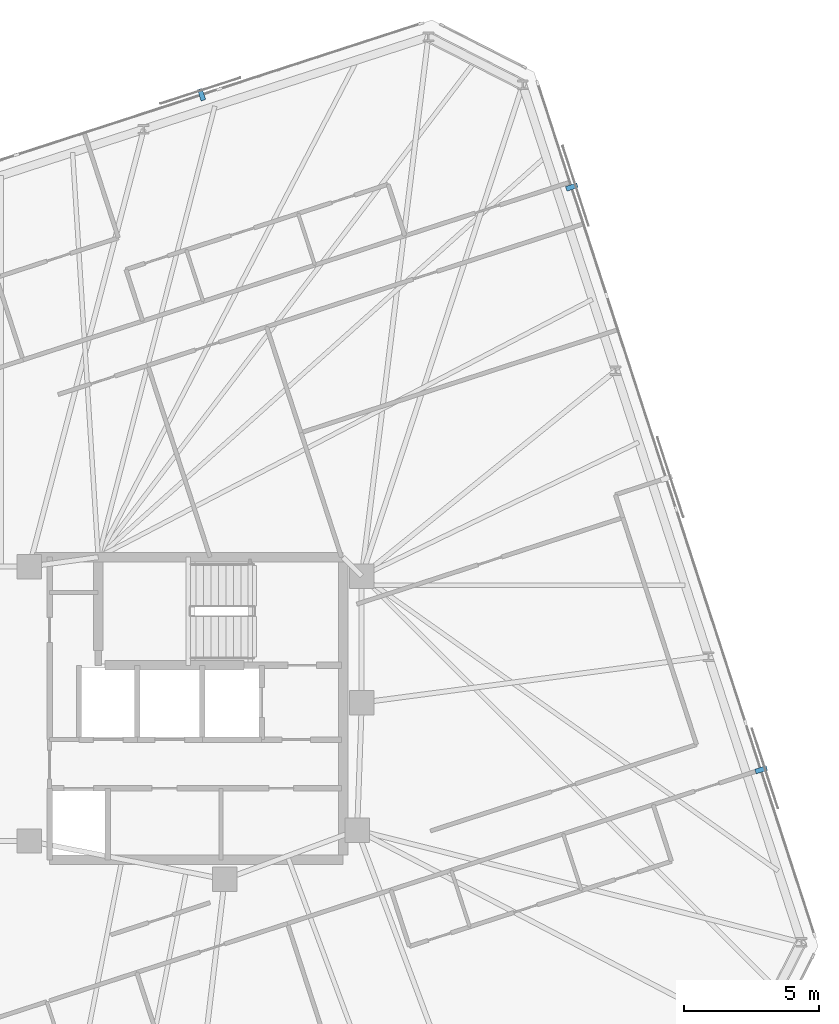
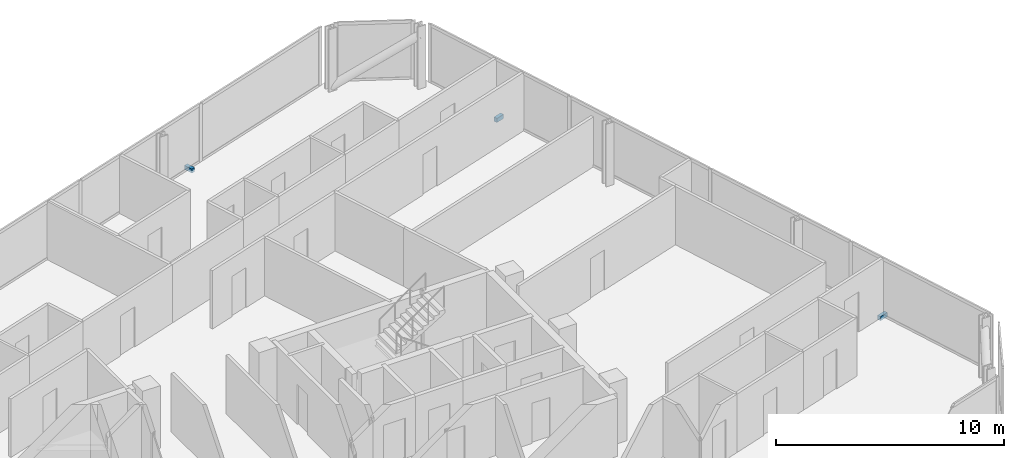
# One storey, part 19 of 20: 3 discrete accessories.
"""IFC4 building model written with IfcOpenShell, lengths in metres."""

import ifcopenshell
import ifcopenshell.guid

model = None  # the IFC model being written
_history = None  # IfcOwnerHistory: only IFC2X3 demands one
_inside = {}  # id of a spatial element -> (the spatial element, [elements in it])
_under = {}  # id of a project, library or spatial element -> (it, [spatial elements below it])
_declared = {}  # id of a project -> (the project, [libraries it declares])
_typed = {}  # id of a type object -> (the type object, [elements of that type])
_made_of = {}  # id of a material, layer set ... -> (it, [elements and type objects made of it])


def new_model(schema):
    """Start an empty IFC model of exactly this schema.

    Asked for "IFC4X3", IfcOpenShell would pick the latest addendum, in which some entities
    have other attributes; the version numbers below select the first issue.
    IFC2X3 requires an IfcOwnerHistory on every rooted entity: one is made here for all.
    """
    global model, _history
    if schema == "IFC4X3":
        model = ifcopenshell.file(schema_version=(4, 3, 0, 0))
    else:
        model = ifcopenshell.file(schema=schema)
    _inside.clear()
    _under.clear()
    _declared.clear()
    _typed.clear()
    _made_of.clear()
    _history = None
    if model.schema == "IFC2X3":
        org = make("IfcOrganization", Name="unknown")
        user = make(
            "IfcPersonAndOrganization",
            ThePerson=make("IfcPerson", FamilyName="unknown"),
            TheOrganization=org,
        )
        app = make(
            "IfcApplication",
            ApplicationDeveloper=org,
            Version="unknown",
            ApplicationFullName="unknown",
            ApplicationIdentifier="unknown",
        )
        _history = make(
            "IfcOwnerHistory",
            OwningUser=user,
            OwningApplication=app,
            ChangeAction="ADDED",
            CreationDate=0,
        )
    return model


def make(cls, **values):
    """One entity of the class cls with the attributes given. An attribute that is None is left unset."""
    return model.create_entity(
        cls, **{name: value for name, value in values.items() if value is not None}
    )


def rooted(cls, **values):
    """An entity with a GlobalId (a new one), such as an element, a storey or a relation."""
    return make(cls, GlobalId=ifcopenshell.guid.new(), OwnerHistory=_history, **values)


def si_unit(unit_type, name, prefix=None):
    """IfcSIUnit, for example si_unit("LENGTHUNIT", "METRE", prefix="MILLI")."""
    return make("IfcSIUnit", UnitType=unit_type, Prefix=prefix, Name=name)


def assignment(units):
    """IfcUnitAssignment: the units of a project."""
    return None if units is None else make("IfcUnitAssignment", Units=units)


def point(xyz):
    """IfcCartesianPoint."""
    return None if xyz is None else make("IfcCartesianPoint", Coordinates=xyz)


def direction(xyz):
    """IfcDirection."""
    return None if xyz is None else make("IfcDirection", DirectionRatios=xyz)


def frame(location, z_axis=None, x_axis=None):
    """IfcAxis2Placement3D, a coordinate frame: its origin and axes. An axis left out is left unset."""
    return make(
        "IfcAxis2Placement3D",
        Location=point(location),
        Axis=direction(z_axis),
        RefDirection=direction(x_axis),
    )


def frame_2d(location, x_axis=None):
    """IfcAxis2Placement2D, a coordinate frame in the plane: its origin and x axis."""
    return make(
        "IfcAxis2Placement2D", Location=point(location), RefDirection=direction(x_axis)
    )


def origin():
    """The frame at (0, 0, 0) with its axes left unset."""
    return frame((0.0, 0.0, 0.0))


def origin_2d():
    """The frame at (0, 0) in the plane with its x axis left unset."""
    return frame_2d((0.0, 0.0))


def place(relative_to, where):
    """IfcLocalPlacement: puts the frame where relative to a parent placement (None: the world)."""
    return make(
        "IfcLocalPlacement", PlacementRelTo=relative_to, RelativePlacement=where
    )


def context(
    kind, dimensions, precision=None, world=None, true_north=None, identifier=None
):
    """IfcGeometricRepresentationContext, for example the 3D "Model" context."""
    return make(
        "IfcGeometricRepresentationContext",
        ContextIdentifier=identifier,
        ContextType=kind,
        CoordinateSpaceDimension=dimensions,
        Precision=precision,
        WorldCoordinateSystem=world,
        TrueNorth=true_north,
    )


def subcontext(parent, identifier, kind, view, scale=None):
    """IfcGeometricRepresentationSubContext, for example "Body" below "Model"."""
    return make(
        "IfcGeometricRepresentationSubContext",
        ContextIdentifier=identifier,
        ContextType=kind,
        ParentContext=parent,
        TargetScale=scale,
        TargetView=view,
    )


def project(units=None, contexts=None):
    """IfcProject with its units and contexts."""
    return rooted(
        "IfcProject",
        Name="project",
        RepresentationContexts=contexts,
        UnitsInContext=assignment(units),
    )


def spatial(cls, under=None, at=None, **own):
    """A site, building, storey or space (cls), placed at a placement, below another one or the project."""
    s = rooted(cls, ObjectPlacement=at, **own)
    if under is not None:
        _under.setdefault(under.id(), (under, []))[1].append(s)
    return s


def profile(cls, at=None, kind="AREA", **sizes):
    """A parametric profile (cls). Its sizes go by their IFC names, for example OverallWidth=200.0."""
    return make(cls, ProfileType=kind, Position=at, **sizes)


def rectangle(**sizes):
    """IfcRectangleProfileDef."""
    return profile("IfcRectangleProfileDef", **sizes)


def extrude(swept, where, along, depth):
    """IfcExtrudedAreaSolid: the profile swept, set in the frame where, extruded along a direction by depth."""
    return make(
        "IfcExtrudedAreaSolid",
        SweptArea=swept,
        Position=where,
        ExtrudedDirection=direction(along),
        Depth=depth,
    )


def shape(context_of_items, identifier, shape_type, items):
    """IfcShapeRepresentation: the items that make up one representation, for example the "Body"."""
    return make(
        "IfcShapeRepresentation",
        ContextOfItems=context_of_items,
        RepresentationIdentifier=identifier,
        RepresentationType=shape_type,
        Items=items,
    )


def material(Name=None, Category=None):
    """IfcMaterial."""
    return make("IfcMaterial", Name=Name, Category=Category)


def made_of(thing, what):
    """Note that an element or type object is made of a material, layer set ...; save() writes the relation."""
    if what is not None:
        _made_of.setdefault(what.id(), (what, []))[1].append(thing)
    return thing


def type_object(cls, material=None, **own):
    """A type object (cls), such as IfcWallType, which elements share."""
    return made_of(rooted(cls, **own), material)


def element(
    cls,
    number,
    at=None,
    inside=None,
    cuts=None,
    type_object=None,
    material=None,
    context=None,
    identifier="Body",
    shape_type=None,
    held_by="IfcProductDefinitionShape",
    body=None,
    shapes=None,
    **own,
):
    """One element of the class cls, such as IfcWall. Its Tag is "e" and its number.

    at: its placement. inside: the storey or other place that contains it. cuts: it is an
    opening in that element (IfcRelVoidsElement). A single representation is given by context,
    identifier, shape_type and body (its items); several are given by shapes. held_by: the class
    of the entity that holds the representations. save() writes the other relations.
    """
    e = rooted(cls, Tag="e%d" % number, ObjectPlacement=at, **own)
    if body is not None:
        shapes = [shape(context, identifier, shape_type, body)]
    if shapes is not None:
        e.Representation = make(held_by, Representations=shapes)
    if inside is not None:
        _inside.setdefault(inside.id(), (inside, []))[1].append(e)
    if cuts is not None:
        rooted(
            "IfcRelVoidsElement", RelatingBuildingElement=cuts, RelatedOpeningElement=e
        )
    if type_object is not None:
        _typed.setdefault(type_object.id(), (type_object, []))[1].append(e)
    return made_of(e, material)


def aggregate(whole, parts):
    """IfcRelAggregates: a whole, such as a stair, and the parts it consists of."""
    return rooted("IfcRelAggregates", RelatingObject=whole, RelatedObjects=parts)


def save(model, path):
    """Write the relations noted so far, then the file.

    IfcRelAggregates (storeys below a building ...), IfcRelContainedInSpatialStructure (elements
    in a storey), IfcRelDefinesByType, IfcRelAssociatesMaterial and IfcRelDeclares: one each for
    every whole, place, type object, material and project.
    """
    for whole, parts in _under.values():
        aggregate(whole, parts)
    for where, things in _inside.values():
        rooted(
            "IfcRelContainedInSpatialStructure",
            RelatedElements=things,
            RelatingStructure=where,
        )
    for kind, things in _typed.values():
        rooted("IfcRelDefinesByType", RelatedObjects=things, RelatingType=kind)
    for what, things in _made_of.values():
        rooted("IfcRelAssociatesMaterial", RelatedObjects=things, RelatingMaterial=what)
    for by, libraries in _declared.values():
        rooted("IfcRelDeclares", RelatingContext=by, RelatedDefinitions=libraries)
    model.write(path)


model = new_model("IFC4")

# Units and contexts
model_context = context("Model", 3, precision=1e-05, world=origin(), true_north=direction((0.0, 1.0)))
body_context = subcontext(model_context, "Body", "Model", "MODEL_VIEW")
ifc_project = project(units=[si_unit("LENGTHUNIT", "METRE"), si_unit("AREAUNIT", "SQUARE_METRE"), si_unit("VOLUMEUNIT", "CUBIC_METRE"), si_unit("PLANEANGLEUNIT", "RADIAN"), si_unit("MASSUNIT", "GRAM", prefix="KILO")], contexts=[model_context])

# Site, building, storey
site_placement = place(None, origin())
site = spatial("IfcSite", under=ifc_project, at=site_placement, CompositionType="ELEMENT")
building_placement = place(site_placement, origin())
building = spatial("IfcBuilding", under=site, at=building_placement, Name="Menara Jurai Vektor", CompositionType="ELEMENT")
storey_placement = place(building_placement, frame((0.0, 0.0, 217.60009765625)))
storey = spatial("IfcBuildingStorey", under=building, at=storey_placement, Name="L57", CompositionType="ELEMENT", Elevation=217.60009765625)

# Discrete accessories
ifc_material = material(Name="Steel S355", Category="steel")
discrete_accessory_type = type_object("IfcDiscreteAccessoryType", Name="ENV-ACC-BRACKET", PredefinedType="BRACKET", material=ifc_material)
for number, where, z_axis, x_axis, name in (
    (1, (30.026611328125, -2.26416015625, -0.1298828125), (0.0, 0.0, 1.0), (-0.309016994375, 0.951056516295, 0.0), "Solar Screen Stand-Off Bracket L57-S05"),
    (2, (23.0224609375, 19.29296875, -0.1298828125), (0.0, 0.0, 1.0), (-0.309016994375, 0.951056516295, 0.0), "Solar Screen Stand-Off Bracket L57-S07"),
    (3, (9.32470703125, 22.71435546875, -0.1298828125), (0.0, 0.0, 1.0), (-0.951056516295, -0.309016994375, 0.0), "Solar Screen Stand-Off Bracket L57-S08"),
):
    element("IfcDiscreteAccessory", number, at=place(storey_placement, frame(where, z_axis=z_axis, x_axis=x_axis)), inside=storey, type_object=discrete_accessory_type, Name=name, PredefinedType="BRACKET", context=body_context, shape_type="SweptSolid", body=[
        extrude(rectangle(XDim=0.179931640625, YDim=0.43994140625, at=origin_2d()), origin(), (0.0, 0.0, 1.0), 0.219970703125),
    ])

save(model, "model.ifc")
